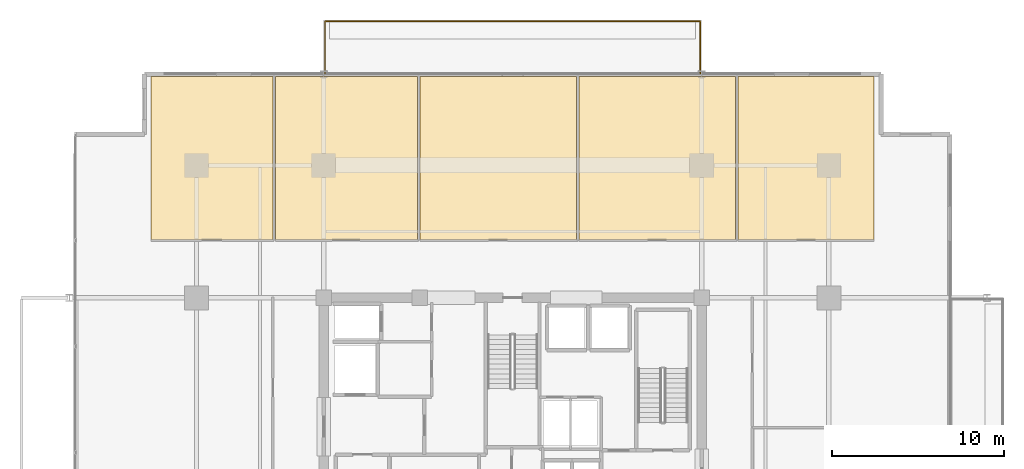
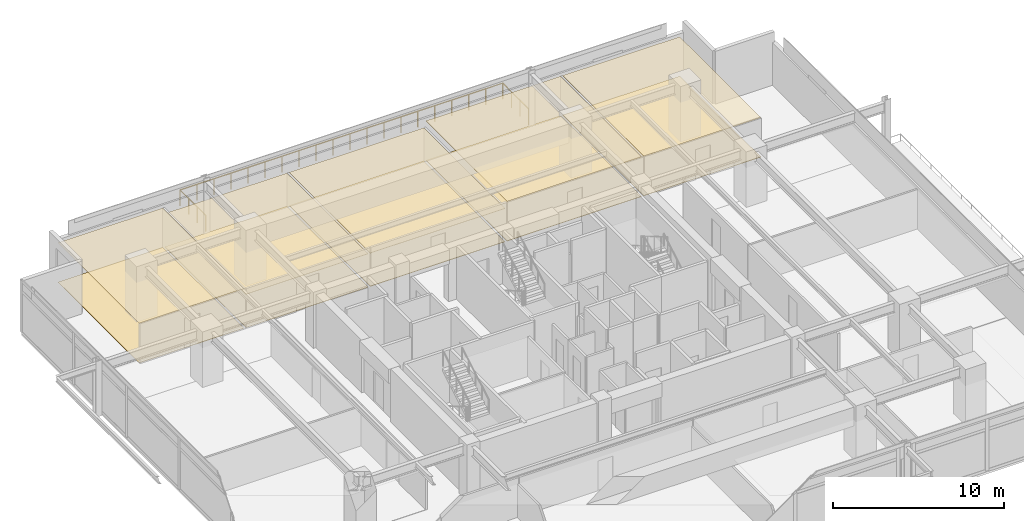
# One storey, part 21 of 21: 10 coverings, 1 railing.
"""IFC4 building model written with IfcOpenShell, lengths in metres."""

from ifc_helpers import new_model, si_unit, direction, frame, origin, origin_2d, place, context, subcontext, project, spatial, polyline, circle, outline, extrude, material, layer, layer_set, type_object, element, save


model = new_model("IFC4")

# Units and contexts
model_context = context("Model", 3, precision=1e-05, world=origin(), true_north=direction((0.0, 1.0)))
body_context = subcontext(model_context, "Body", "Model", "MODEL_VIEW")
ifc_project = project(units=[si_unit("LENGTHUNIT", "METRE"), si_unit("AREAUNIT", "SQUARE_METRE"), si_unit("VOLUMEUNIT", "CUBIC_METRE"), si_unit("PLANEANGLEUNIT", "RADIAN"), si_unit("MASSUNIT", "GRAM", prefix="KILO")], contexts=[model_context])

# Site, building, storey
site_placement = place(None, origin())
site = spatial("IfcSite", under=ifc_project, at=site_placement, CompositionType="ELEMENT")
building_placement = place(site_placement, origin())
building = spatial("IfcBuilding", under=site, at=building_placement, Name="Kovane Verandah Tower", CompositionType="ELEMENT")
storey_placement = place(building_placement, frame((0.0, 0.0, 217.199951171875)))
storey = spatial("IfcBuildingStorey", under=building, at=storey_placement, Name="L50", CompositionType="ELEMENT", Elevation=217.199951171875)

# Coverings
ifc_material_1 = material(Name="Perforated Acoustic Mineral-Fibre Ceiling Tile", Category="gypsum")
ifc_layer_1 = layer(ifc_material_1, 0.02490234375)
ifc_layer_set_1 = layer_set([ifc_layer_1], Name="Perforated Acoustic Mineral-Fibre Ceiling Tile")
covering_type_1 = type_object("IfcCoveringType", Name="CV-CEIL-25", PredefinedType="CEILING", material=ifc_layer_set_1)
covering_1_placement = place(storey_placement, frame((0.0, 0.0, 2.824951171875)))
element("IfcCovering", 1, at=covering_1_placement, inside=storey, type_object=covering_type_1, Name="L50 Executive Office N1 Acoustic Ceiling", PredefinedType="CEILING", context=body_context, shape_type="SweptSolid", body=[
    extrude(outline(polyline([(18.962646484375, 39.85009765625), (26.04541015625, 39.85009765625), (26.04541015625, 49.3642578125), (18.962646484375, 49.3642578125), (18.962646484375, 39.85009765625)])), origin(), (0.0, 0.0, 1.0), 0.025146484375),
])
covering_2_placement = place(storey_placement, frame((0.0, 0.0, 2.380126953125)))
element("IfcCovering", 2, at=covering_2_placement, inside=storey, type_object=covering_type_1, Name="L50 Client Boardroom N2 Acoustic Ceiling", PredefinedType="CEILING", context=body_context, shape_type="SweptSolid", body=[
    extrude(outline(polyline([(26.185302734375, 39.85009765625), (34.460205078125, 39.85009765625), (34.460205078125, 49.3642578125), (26.185302734375, 49.3642578125), (26.185302734375, 39.85009765625)])), origin(), (0.0, 0.0, 1.0), 0.02490234375),
])
covering_3_placement = place(storey_placement, frame((0.0, 0.0, 2.380126953125)))
element("IfcCovering", 3, at=covering_3_placement, inside=storey, type_object=covering_type_1, Name="L50 Meeting Room N3 Acoustic Ceiling", PredefinedType="CEILING", context=body_context, shape_type="SweptSolid", body=[
    extrude(outline(polyline([(34.600341796875, 39.85009765625), (43.716796875, 39.85009765625), (43.716796875, 49.3642578125), (34.600341796875, 49.3642578125), (34.600341796875, 39.85009765625)])), origin(), (0.0, 0.0, 1.0), 0.02490234375),
])
covering_4_placement = place(storey_placement, frame((0.0, 0.0, 2.824951171875)))
element("IfcCovering", 4, at=covering_4_placement, inside=storey, type_object=covering_type_1, Name="L50 Focus Studio N4 Acoustic Ceiling", PredefinedType="CEILING", context=body_context, shape_type="SweptSolid", body=[
    extrude(outline(polyline([(43.856689453125, 39.85009765625), (52.97314453125, 39.85009765625), (52.97314453125, 49.3642578125), (43.856689453125, 49.3642578125), (43.856689453125, 39.85009765625)])), origin(), (0.0, 0.0, 1.0), 0.025146484375),
])
covering_5_placement = place(storey_placement, frame((0.0, 0.0, 2.824951171875)))
element("IfcCovering", 5, at=covering_5_placement, inside=storey, type_object=covering_type_1, Name="L50 Breakout Pantry N5 Acoustic Ceiling", PredefinedType="CEILING", context=body_context, shape_type="SweptSolid", body=[
    extrude(outline(polyline([(53.11328125, 39.85009765625), (61.037353515625, 39.85009765625), (61.037353515625, 49.3642578125), (53.11328125, 49.3642578125), (53.11328125, 39.85009765625)])), origin(), (0.0, 0.0, 1.0), 0.025146484375),
])
ifc_material_2 = material(Name="Polished Terrazzo and Raised-Access Carpet Tile Finish", Category="concrete")
ifc_layer_2 = layer(ifc_material_2, 0.030029296875)
ifc_layer_set_2 = layer_set([ifc_layer_2], Name="Polished Terrazzo and Raised-Access Carpet Tile Finish")
covering_type_2 = type_object("IfcCoveringType", Name="CV-FLOR-30", PredefinedType="FLOORING", material=ifc_layer_set_2)
covering_6_placement = place(storey_placement, origin())
element("IfcCovering", 6, at=covering_6_placement, inside=storey, type_object=covering_type_2, Name="L50 Executive Office N1 Floor Finish", PredefinedType="FLOORING", context=body_context, shape_type="SweptSolid", body=[
    extrude(outline(polyline([(18.962646484375, 39.85009765625), (26.04541015625, 39.85009765625), (26.04541015625, 49.3642578125), (18.962646484375, 49.3642578125), (18.962646484375, 39.85009765625)])), origin(), (0.0, 0.0, 1.0), 0.030029296875),
])
covering_7_placement = place(storey_placement, origin())
element("IfcCovering", 7, at=covering_7_placement, inside=storey, type_object=covering_type_2, Name="L50 Client Boardroom N2 Floor Finish", PredefinedType="FLOORING", context=body_context, shape_type="SweptSolid", body=[
    extrude(outline(polyline([(26.185302734375, 39.85009765625), (34.460205078125, 39.85009765625), (34.460205078125, 49.3642578125), (26.185302734375, 49.3642578125), (26.185302734375, 39.85009765625)])), origin(), (0.0, 0.0, 1.0), 0.030029296875),
])
covering_8_placement = place(storey_placement, origin())
element("IfcCovering", 8, at=covering_8_placement, inside=storey, type_object=covering_type_2, Name="L50 Meeting Room N3 Floor Finish", PredefinedType="FLOORING", context=body_context, shape_type="SweptSolid", body=[
    extrude(outline(polyline([(34.600341796875, 39.85009765625), (43.716796875, 39.85009765625), (43.716796875, 49.3642578125), (34.600341796875, 49.3642578125), (34.600341796875, 39.85009765625)])), origin(), (0.0, 0.0, 1.0), 0.030029296875),
])
covering_9_placement = place(storey_placement, origin())
element("IfcCovering", 9, at=covering_9_placement, inside=storey, type_object=covering_type_2, Name="L50 Focus Studio N4 Floor Finish", PredefinedType="FLOORING", context=body_context, shape_type="SweptSolid", body=[
    extrude(outline(polyline([(43.856689453125, 39.85009765625), (52.97314453125, 39.85009765625), (52.97314453125, 49.3642578125), (43.856689453125, 49.3642578125), (43.856689453125, 39.85009765625)])), origin(), (0.0, 0.0, 1.0), 0.030029296875),
])
covering_10_placement = place(storey_placement, origin())
element("IfcCovering", 10, at=covering_10_placement, inside=storey, type_object=covering_type_2, Name="L50 Breakout Pantry N5 Floor Finish", PredefinedType="FLOORING", context=body_context, shape_type="SweptSolid", body=[
    extrude(outline(polyline([(53.11328125, 39.85009765625), (61.037353515625, 39.85009765625), (61.037353515625, 49.3642578125), (53.11328125, 49.3642578125), (53.11328125, 39.85009765625)])), origin(), (0.0, 0.0, 1.0), 0.030029296875),
])

# Railing
ifc_material_3 = material(Name="Laminated Glass and Pale-Champagne Stainless Balustrade", Category="glass")
railing_type = type_object("IfcRailingType", Name="RL-BAL-1150", PredefinedType="BALUSTRADE", material=ifc_material_3)
railing_placement = place(storey_placement, frame((29.080078125, 49.564208984375, 0.0)))
element("IfcRailing", 11, at=railing_placement, inside=storey, type_object=railing_type, Name="L50 N Verandah Glass Balustrade", PredefinedType="BALUSTRADE", context=body_context, shape_type="SweptSolid", body=[
    extrude(circle(Radius=0.02392578125, at=origin_2d()), frame((0.0, 0.0, 1.1259765625), z_axis=(0.0, 1.0, 0.0), x_axis=(-1.0, 0.0, 0.0)), (0.0, 0.0, 1.0), 3.02001953125),
    extrude(circle(Radius=0.02392578125, at=origin_2d()), frame((0.0, 3.02001953125, 1.1259765625), z_axis=(1.0, 0.0, 0.0), x_axis=(0.0, 1.0, 0.0)), (0.0, 0.0, 1.0), 21.83984375),
    extrude(circle(Radius=0.02392578125, at=origin_2d()), frame((21.83984375, 3.02001953125, 1.1259765625), z_axis=(0.0, -1.0, 0.0), x_axis=(1.0, 0.0, 0.0)), (0.0, 0.0, 1.0), 3.02001953125),
    extrude(circle(Radius=0.02099609375, at=origin_2d()), origin(), (0.0, 0.0, 1.0), 1.101806640625),
    extrude(circle(Radius=0.02099609375, at=origin_2d()), frame((0.0, 1.006591796875, 0.0)), (0.0, 0.0, 1.0), 1.101806640625),
    extrude(circle(Radius=0.02099609375, at=origin_2d()), frame((0.0, 2.013427734375, 0.0)), (0.0, 0.0, 1.0), 1.101806640625),
    extrude(circle(Radius=0.02099609375, at=origin_2d()), frame((0.0, 3.02001953125, 0.0)), (0.0, 0.0, 1.0), 1.101806640625),
    extrude(circle(Radius=0.02099609375, at=origin_2d()), frame((1.1494140625, 3.02001953125, 0.0)), (0.0, 0.0, 1.0), 1.101806640625),
    extrude(circle(Radius=0.02099609375, at=origin_2d()), frame((2.298828125, 3.02001953125, 0.0)), (0.0, 0.0, 1.0), 1.101806640625),
    extrude(circle(Radius=0.02099609375, at=origin_2d()), frame((3.448486328125, 3.02001953125, 0.0)), (0.0, 0.0, 1.0), 1.101806640625),
    extrude(circle(Radius=0.02099609375, at=origin_2d()), frame((4.597900390625, 3.02001953125, 0.0)), (0.0, 0.0, 1.0), 1.101806640625),
    extrude(circle(Radius=0.02099609375, at=origin_2d()), frame((5.747314453125, 3.02001953125, 0.0)), (0.0, 0.0, 1.0), 1.101806640625),
    extrude(circle(Radius=0.02099609375, at=origin_2d()), frame((6.896728515625, 3.02001953125, 0.0)), (0.0, 0.0, 1.0), 1.101806640625),
    extrude(circle(Radius=0.02099609375, at=origin_2d()), frame((8.046142578125, 3.02001953125, 0.0)), (0.0, 0.0, 1.0), 1.101806640625),
    extrude(circle(Radius=0.02099609375, at=origin_2d()), frame((9.19580078125, 3.02001953125, 0.0)), (0.0, 0.0, 1.0), 1.101806640625),
    extrude(circle(Radius=0.02099609375, at=origin_2d()), frame((10.34521484375, 3.02001953125, 0.0)), (0.0, 0.0, 1.0), 1.101806640625),
    extrude(circle(Radius=0.02099609375, at=origin_2d()), frame((11.49462890625, 3.02001953125, 0.0)), (0.0, 0.0, 1.0), 1.101806640625),
    extrude(circle(Radius=0.02099609375, at=origin_2d()), frame((12.64404296875, 3.02001953125, 0.0)), (0.0, 0.0, 1.0), 1.101806640625),
    extrude(circle(Radius=0.02099609375, at=origin_2d()), frame((13.793701171875, 3.02001953125, 0.0)), (0.0, 0.0, 1.0), 1.101806640625),
    extrude(circle(Radius=0.02099609375, at=origin_2d()), frame((14.943115234375, 3.02001953125, 0.0)), (0.0, 0.0, 1.0), 1.101806640625),
    extrude(circle(Radius=0.02099609375, at=origin_2d()), frame((16.092529296875, 3.02001953125, 0.0)), (0.0, 0.0, 1.0), 1.101806640625),
    extrude(circle(Radius=0.02099609375, at=origin_2d()), frame((17.241943359375, 3.02001953125, 0.0)), (0.0, 0.0, 1.0), 1.101806640625),
    extrude(circle(Radius=0.02099609375, at=origin_2d()), frame((18.391357421875, 3.02001953125, 0.0)), (0.0, 0.0, 1.0), 1.101806640625),
    extrude(circle(Radius=0.02099609375, at=origin_2d()), frame((19.541015625, 3.02001953125, 0.0)), (0.0, 0.0, 1.0), 1.101806640625),
    extrude(circle(Radius=0.02099609375, at=origin_2d()), frame((20.6904296875, 3.02001953125, 0.0)), (0.0, 0.0, 1.0), 1.101806640625),
    extrude(circle(Radius=0.02099609375, at=origin_2d()), frame((21.83984375, 3.02001953125, 0.0)), (0.0, 0.0, 1.0), 1.101806640625),
    extrude(circle(Radius=0.02099609375, at=origin_2d()), frame((21.83984375, 2.013427734375, 0.0)), (0.0, 0.0, 1.0), 1.101806640625),
    extrude(circle(Radius=0.02099609375, at=origin_2d()), frame((21.83984375, 1.006591796875, 0.0)), (0.0, 0.0, 1.0), 1.101806640625),
    extrude(circle(Radius=0.02099609375, at=origin_2d()), frame((21.83984375, 0.0, 0.0)), (0.0, 0.0, 1.0), 1.101806640625),
])

save(model, "model.ifc")
